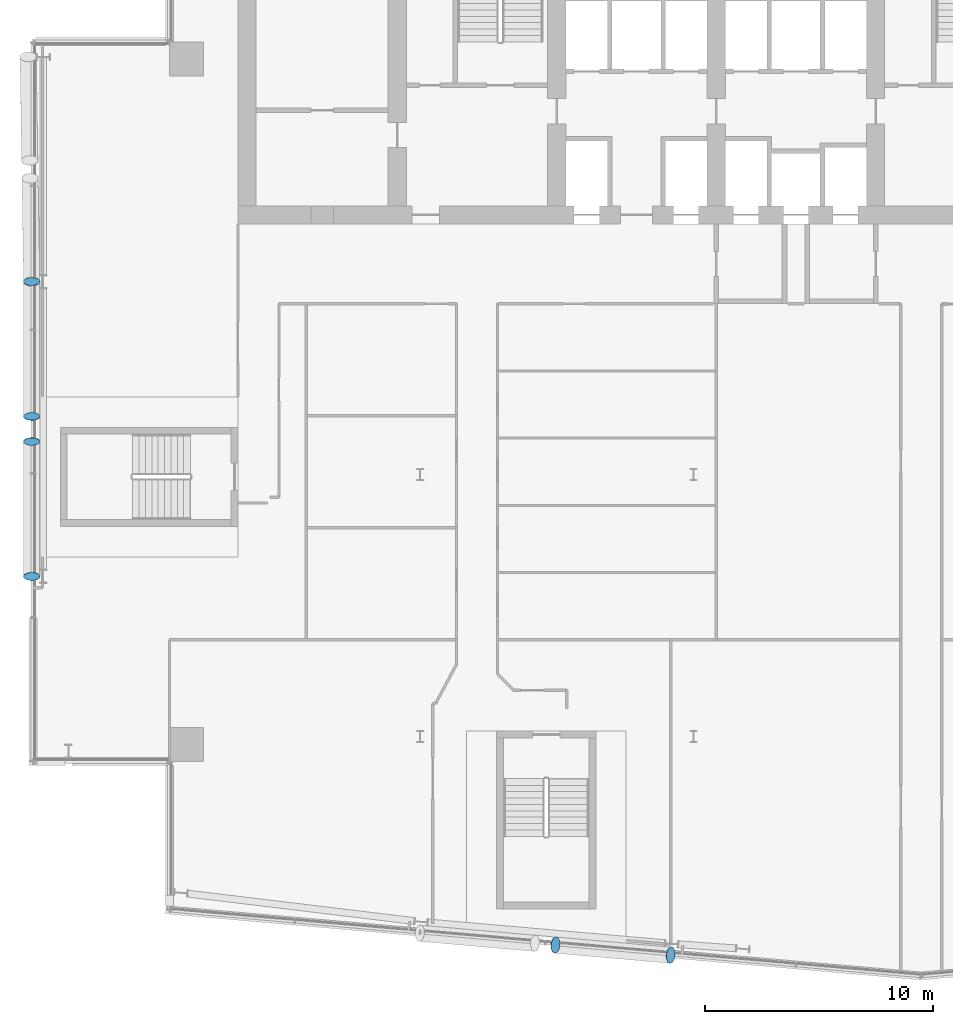
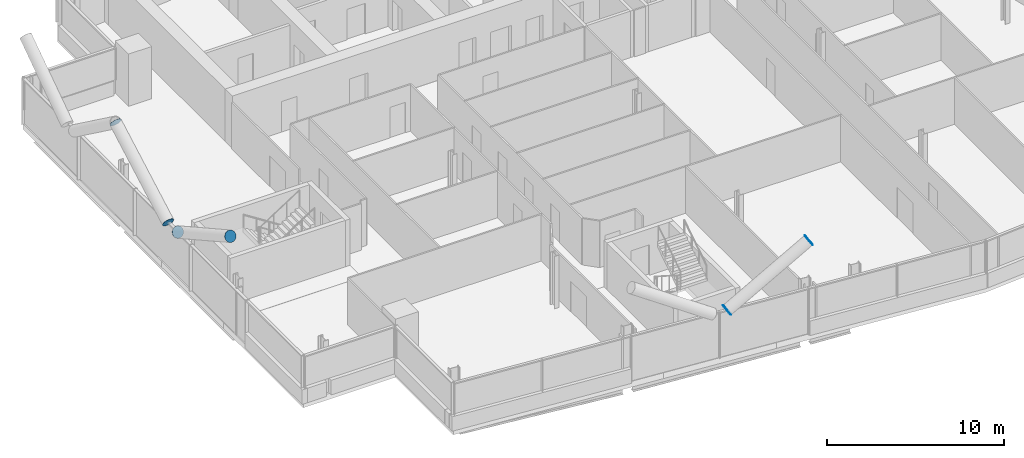
# One storey, part 20 of 26: 6 discrete accessories.
"""IFC4 building model written with IfcOpenShell, lengths in metres."""

from ifc_helpers import new_model, si_unit, direction, frame, origin, origin_2d, place, context, subcontext, project, spatial, circle, extrude, material, material_profile, profile_set, type_object, element, save


model = new_model("IFC4")

# Units and contexts
model_context = context("Model", 3, precision=1e-05, world=origin(), true_north=direction((0.0, 1.0)))
body_context = subcontext(model_context, "Body", "Model", "MODEL_VIEW")
ifc_project = project(units=[si_unit("LENGTHUNIT", "METRE"), si_unit("AREAUNIT", "SQUARE_METRE"), si_unit("VOLUMEUNIT", "CUBIC_METRE"), si_unit("PLANEANGLEUNIT", "RADIAN"), si_unit("MASSUNIT", "GRAM", prefix="KILO")], contexts=[model_context])

# Site, building, storey
site_placement = place(None, origin())
site = spatial("IfcSite", under=ifc_project, at=site_placement, CompositionType="ELEMENT")
building_placement = place(site_placement, origin())
building = spatial("IfcBuilding", under=site, at=building_placement, Name="Wharfspan Tower", CompositionType="ELEMENT")
storey_placement = place(building_placement, frame((0.0, 0.0, 173.5)))
storey = spatial("IfcBuildingStorey", under=building, at=storey_placement, Name="L42", CompositionType="ELEMENT", Elevation=173.5)

# Discrete accessories
ifc_material = material(Name="Steel S460NH", Category="steel")
ifc_material_profile = material_profile(ifc_material, circle(Radius=0.355469, at=origin_2d()))
ifc_profile_set = profile_set([ifc_material_profile], Name="Steel S460NH")
discrete_accessory_type = type_object("IfcDiscreteAccessoryType", Name="End plate CHS 711x36", PredefinedType="BRACKET", material=ifc_profile_set)
for number, where, z_axis, x_axis, name in (
    (1, (29.938721, 2.337891, 3.19043), (0.837276, -0.073877, 0.541767), (0.087893, 0.996132, 1e-06), "End plate CHS 711x36"),
    (2, (34.995117, 1.895508, 6.5), (0.844416, -0.072379, 0.530776), (0.085402, 0.99635, 0.0), "End plate CHS 711x36"),
    (3, (6.945068, 24.454346, 3.203857), (0.0, -0.884385, 0.466759), (1.0, 0.0, 0.0), "End plate CHS 711x36"),
    (4, (6.945068, 18.533447, 6.5), (0.0, -0.874157, 0.485643), (1.0, 0.0, 0.0), "End plate CHS 711x36"),
    (5, (6.945068, 25.545654, 3.203857), (0.0, 0.884385, 0.466759), (-1.0, 0.0, 0.0), "End plate CHS 711x36"),
    (6, (6.945068, 31.466553, 6.5), (0.0, 0.874157, 0.485643), (-1.0, 0.0, 0.0), "End plate CHS 711x36"),
):
    element("IfcDiscreteAccessory", number, at=place(storey_placement, frame(where, z_axis=z_axis, x_axis=x_axis)), inside=storey, type_object=discrete_accessory_type, Name=name, PredefinedType="BRACKET", context=body_context, shape_type="SweptSolid", body=[
        extrude(circle(Radius=0.355469, at=origin_2d()), origin(), (0.0, 0.0, 1.0), 0.01001),
    ])

save(model, "model.ifc")
